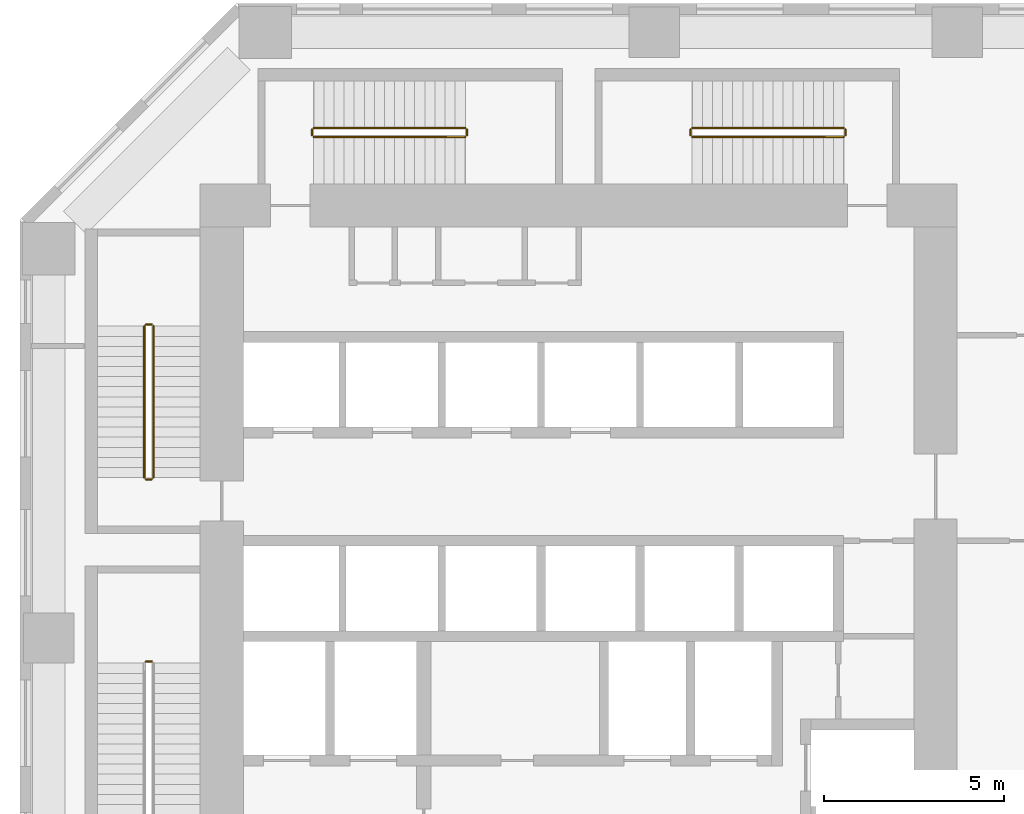
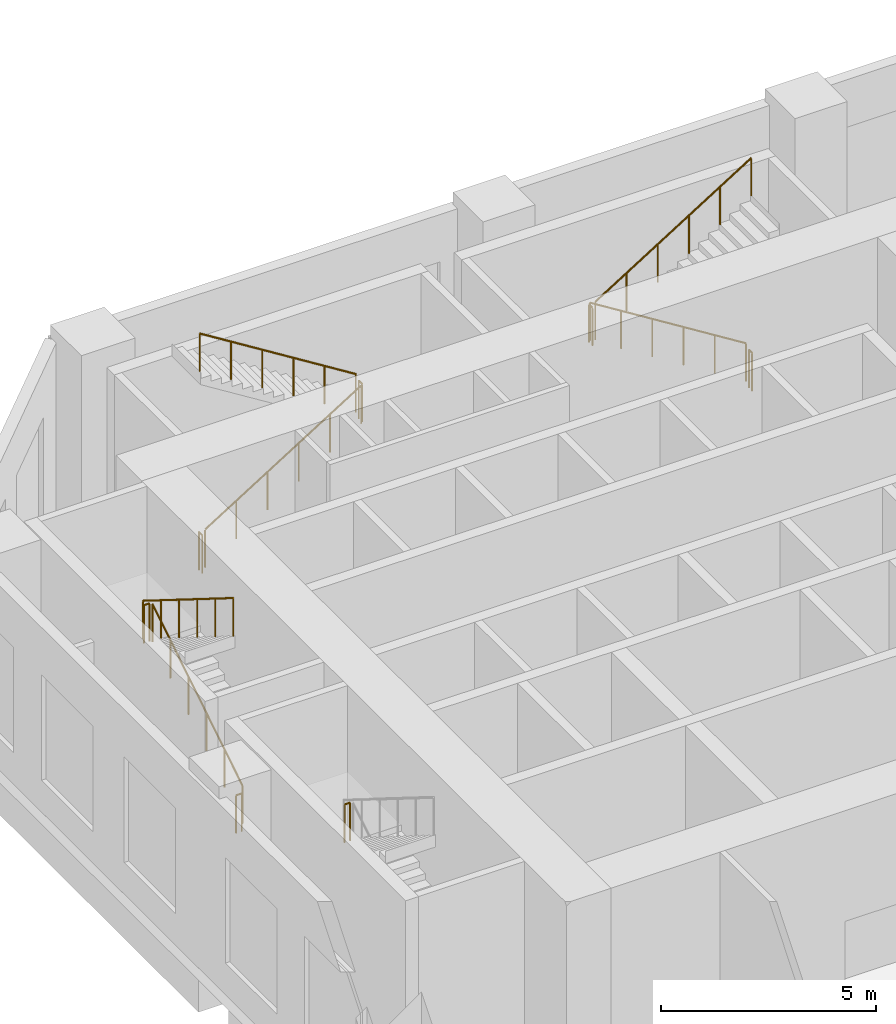
# One storey, part 15 of 17: 13 railings.
"""IFC4 building model written with IfcOpenShell, lengths in metres."""

from ifc_helpers import new_model, si_unit, direction, frame, origin, origin_2d, place, context, subcontext, project, spatial, circle, extrude, material, type_object, element, save


model = new_model("IFC4")

# Units and contexts
model_context = context("Model", 3, precision=1e-05, world=origin(), true_north=direction((0.0, 1.0)))
body_context = subcontext(model_context, "Body", "Model", "MODEL_VIEW")
ifc_project = project(units=[si_unit("LENGTHUNIT", "METRE"), si_unit("AREAUNIT", "SQUARE_METRE"), si_unit("VOLUMEUNIT", "CUBIC_METRE"), si_unit("PLANEANGLEUNIT", "RADIAN"), si_unit("MASSUNIT", "GRAM", prefix="KILO")], contexts=[model_context])

# Site, building, storey
site_placement = place(None, origin())
site = spatial("IfcSite", under=ifc_project, at=site_placement, CompositionType="ELEMENT")
building_placement = place(site_placement, origin())
building = spatial("IfcBuilding", under=site, at=building_placement, Name="Kawkab Arch Medical Tower", CompositionType="ELEMENT")
storey_placement = place(building_placement, frame((0.0, 0.0, 7.0)))
storey = spatial("IfcBuildingStorey", under=building, at=storey_placement, Name="L02", CompositionType="ELEMENT", Elevation=7.0)

# Railings
ifc_material = material(Name="Stainless steel", Category="steel")
railing_type = type_object("IfcRailingType", Name="Stair guard 1100", PredefinedType="GUARDRAIL", material=ifc_material)
railing_1_placement = place(storey_placement, frame((2.89990234375, -12.35009765625, 0.175048828125)))
element("IfcRailing", 1, at=railing_1_placement, inside=storey, type_object=railing_type, Name="L02 ST1 stair guard 1", PredefinedType="GUARDRAIL", context=body_context, shape_type="SweptSolid", body=[
    extrude(circle(Radius=0.02392578125, at=origin_2d()), frame((0.0, 0.0, 1.076171875), z_axis=(0.0, 0.848009380541, 0.529981217134), x_axis=(-1.0, 0.0, 0.0)), (0.0, 0.0, 1.0), 4.953125),
    extrude(circle(Radius=0.02099609375, at=origin_2d()), origin(), (0.0, 0.0, 1.0), 1.052001953125),
    extrude(circle(Radius=0.02099609375, at=origin_2d()), frame((0.0, 0.840087890625, 0.52490234375)), (0.0, 0.0, 1.0), 1.052001953125),
    extrude(circle(Radius=0.02099609375, at=origin_2d()), frame((0.0, 1.68017578125, 1.050048828125)), (0.0, 0.0, 1.0), 1.052001953125),
    extrude(circle(Radius=0.02099609375, at=origin_2d()), frame((0.0, 2.52001953125, 1.574951171875)), (0.0, 0.0, 1.0), 1.052001953125),
    extrude(circle(Radius=0.02099609375, at=origin_2d()), frame((0.0, 3.360107421875, 2.10009765625)), (0.0, 0.0, 1.0), 1.052001953125),
    extrude(circle(Radius=0.02099609375, at=origin_2d()), frame((0.0, 4.2001953125, 2.625)), (0.0, 0.0, 1.0), 1.052001953125),
])
railing_2_placement = place(storey_placement, frame((2.85009765625, -8.10009765625, 2.800048828125)))
element("IfcRailing", 2, at=railing_2_placement, inside=storey, type_object=railing_type, Name="L02 ST1 stair guard 2", PredefinedType="GUARDRAIL", context=body_context, shape_type="SweptSolid", body=[
    extrude(circle(Radius=0.02392578125, at=origin_2d()), frame((0.0, 0.0, 1.076171875), z_axis=(-1.0, 0.0, 0.0), x_axis=(0.0, -1.0, 0.0)), (0.0, 0.0, 1.0), 0.150146484375),
    extrude(circle(Radius=0.02099609375, at=origin_2d()), origin(), (0.0, 0.0, 1.0), 1.052001953125),
    extrude(circle(Radius=0.02099609375, at=origin_2d()), frame((-0.150146484375, 0.0, 0.0)), (0.0, 0.0, 1.0), 1.052001953125),
])
railing_3_placement = place(storey_placement, frame((2.64990234375, -8.14990234375, 2.97509765625)))
element("IfcRailing", 3, at=railing_3_placement, inside=storey, type_object=railing_type, Name="L02 ST1 stair guard 3", PredefinedType="GUARDRAIL", context=body_context, shape_type="SweptSolid", body=[
    extrude(circle(Radius=0.02392578125, at=origin_2d()), frame((0.0, 0.0, 1.076171875), z_axis=(0.0, -0.848009380541, 0.529981217134), x_axis=(1.0, 0.0, 0.0)), (0.0, 0.0, 1.0), 4.953125),
    extrude(circle(Radius=0.02099609375, at=origin_2d()), origin(), (0.0, 0.0, 1.0), 1.052001953125),
    extrude(circle(Radius=0.02099609375, at=origin_2d()), frame((0.0, -0.840087890625, 0.52490234375)), (0.0, 0.0, 1.0), 1.052001953125),
    extrude(circle(Radius=0.02099609375, at=origin_2d()), frame((0.0, -1.68017578125, 1.050048828125)), (0.0, 0.0, 1.0), 1.052001953125),
    extrude(circle(Radius=0.02099609375, at=origin_2d()), frame((0.0, -2.52001953125, 1.574951171875)), (0.0, 0.0, 1.0), 1.052001953125),
    extrude(circle(Radius=0.02099609375, at=origin_2d()), frame((0.0, -3.360107421875, 2.10009765625)), (0.0, 0.0, 1.0), 1.052001953125),
    extrude(circle(Radius=0.02099609375, at=origin_2d()), frame((0.0, -4.2001953125, 2.625)), (0.0, 0.0, 1.0), 1.052001953125),
])
for number, where, name in (
    (4, (2.85009765625, -12.39990234375, 0.0), "L02 ST1 stair guard 4"),
    (5, (2.85009765625, -17.449951171875, 2.800048828125), "L02 ST2 stair guard 2"),
):
    element("IfcRailing", number, at=place(storey_placement, frame(where)), inside=storey, type_object=railing_type, Name=name, PredefinedType="GUARDRAIL", context=body_context, shape_type="SweptSolid", body=[
        extrude(circle(Radius=0.02392578125, at=origin_2d()), frame((0.0, 0.0, 1.076171875), z_axis=(-1.0, 0.0, 0.0), x_axis=(0.0, -1.0, 0.0)), (0.0, 0.0, 1.0), 0.150146484375),
        extrude(circle(Radius=0.02099609375, at=origin_2d()), origin(), (0.0, 0.0, 1.0), 1.052001953125),
        extrude(circle(Radius=0.02099609375, at=origin_2d()), frame((-0.150146484375, 0.0, 0.0)), (0.0, 0.0, 1.0), 1.052001953125),
    ])
railing_4_placement = place(storey_placement, frame((7.35009765625, -2.89990234375, 0.175048828125)))
element("IfcRailing", 6, at=railing_4_placement, inside=storey, type_object=railing_type, Name="L02 ST3 stair guard 1", PredefinedType="GUARDRAIL", context=body_context, shape_type="SweptSolid", body=[
    extrude(circle(Radius=0.02392578125, at=origin_2d()), frame((0.0, 0.0, 1.076171875), z_axis=(0.847995534698, 0.0, 0.530003370869), x_axis=(0.0, 1.0, 0.0)), (0.0, 0.0, 1.0), 4.952880859375),
    extrude(circle(Radius=0.02099609375, at=origin_2d()), origin(), (0.0, 0.0, 1.0), 1.052001953125),
    extrude(circle(Radius=0.02099609375, at=origin_2d()), frame((0.840087890625, 0.0, 0.52490234375)), (0.0, 0.0, 1.0), 1.052001953125),
    extrude(circle(Radius=0.02099609375, at=origin_2d()), frame((1.679931640625, 0.0, 1.050048828125)), (0.0, 0.0, 1.0), 1.052001953125),
    extrude(circle(Radius=0.02099609375, at=origin_2d()), frame((2.52001953125, 0.0, 1.574951171875)), (0.0, 0.0, 1.0), 1.052001953125),
    extrude(circle(Radius=0.02099609375, at=origin_2d()), frame((3.35986328125, 0.0, 2.10009765625)), (0.0, 0.0, 1.0), 1.052001953125),
    extrude(circle(Radius=0.02099609375, at=origin_2d()), frame((4.199951171875, 0.0, 2.625)), (0.0, 0.0, 1.0), 1.052001953125),
])
railing_5_placement = place(storey_placement, frame((11.60009765625, -2.85009765625, 2.800048828125)))
element("IfcRailing", 7, at=railing_5_placement, inside=storey, type_object=railing_type, Name="L02 ST3 stair guard 2", PredefinedType="GUARDRAIL", context=body_context, shape_type="SweptSolid", body=[
    extrude(circle(Radius=0.02392578125, at=origin_2d()), frame((0.0, 0.0, 1.076171875), z_axis=(0.0, 1.0, 0.0), x_axis=(-1.0, 0.0, 0.0)), (0.0, 0.0, 1.0), 0.150146484375),
    extrude(circle(Radius=0.02099609375, at=origin_2d()), origin(), (0.0, 0.0, 1.0), 1.052001953125),
    extrude(circle(Radius=0.02099609375, at=origin_2d()), frame((0.0, 0.150146484375, 0.0)), (0.0, 0.0, 1.0), 1.052001953125),
])
railing_6_placement = place(storey_placement, frame((11.550048828125, -2.64990234375, 2.97509765625)))
element("IfcRailing", 8, at=railing_6_placement, inside=storey, type_object=railing_type, Name="L02 ST3 stair guard 3", PredefinedType="GUARDRAIL", context=body_context, shape_type="SweptSolid", body=[
    extrude(circle(Radius=0.02392578125, at=origin_2d()), frame((0.0, 0.0, 1.076171875), z_axis=(-0.847995534698, 0.0, 0.530003370869), x_axis=(0.0, -1.0, 0.0)), (0.0, 0.0, 1.0), 4.952880859375),
    extrude(circle(Radius=0.02099609375, at=origin_2d()), origin(), (0.0, 0.0, 1.0), 1.052001953125),
    extrude(circle(Radius=0.02099609375, at=origin_2d()), frame((-0.840087890625, 0.0, 0.52490234375)), (0.0, 0.0, 1.0), 1.052001953125),
    extrude(circle(Radius=0.02099609375, at=origin_2d()), frame((-1.679931640625, 0.0, 1.050048828125)), (0.0, 0.0, 1.0), 1.052001953125),
    extrude(circle(Radius=0.02099609375, at=origin_2d()), frame((-2.52001953125, 0.0, 1.574951171875)), (0.0, 0.0, 1.0), 1.052001953125),
    extrude(circle(Radius=0.02099609375, at=origin_2d()), frame((-3.35986328125, 0.0, 2.10009765625)), (0.0, 0.0, 1.0), 1.052001953125),
    extrude(circle(Radius=0.02099609375, at=origin_2d()), frame((-4.199951171875, 0.0, 2.625)), (0.0, 0.0, 1.0), 1.052001953125),
])
railing_7_placement = place(storey_placement, frame((7.300048828125, -2.85009765625, 0.0)))
element("IfcRailing", 9, at=railing_7_placement, inside=storey, type_object=railing_type, Name="L02 ST3 stair guard 4", PredefinedType="GUARDRAIL", context=body_context, shape_type="SweptSolid", body=[
    extrude(circle(Radius=0.02392578125, at=origin_2d()), frame((0.0, 0.0, 1.076171875), z_axis=(0.0, 1.0, 0.0), x_axis=(-1.0, 0.0, 0.0)), (0.0, 0.0, 1.0), 0.150146484375),
    extrude(circle(Radius=0.02099609375, at=origin_2d()), origin(), (0.0, 0.0, 1.0), 1.052001953125),
    extrude(circle(Radius=0.02099609375, at=origin_2d()), frame((0.0, 0.150146484375, 0.0)), (0.0, 0.0, 1.0), 1.052001953125),
])
railing_8_placement = place(storey_placement, frame((22.050048828125, -2.64990234375, 0.175048828125)))
element("IfcRailing", 10, at=railing_8_placement, inside=storey, type_object=railing_type, Name="L02 ST4 stair guard 1", PredefinedType="GUARDRAIL", context=body_context, shape_type="SweptSolid", body=[
    extrude(circle(Radius=0.02392578125, at=origin_2d()), frame((0.0, 0.0, 1.076171875), z_axis=(-0.847995534698, 0.0, 0.530003370869), x_axis=(0.0, -1.0, 0.0)), (0.0, 0.0, 1.0), 4.952880859375),
    extrude(circle(Radius=0.02099609375, at=origin_2d()), origin(), (0.0, 0.0, 1.0), 1.052001953125),
    extrude(circle(Radius=0.02099609375, at=origin_2d()), frame((-0.840087890625, 0.0, 0.52490234375)), (0.0, 0.0, 1.0), 1.052001953125),
    extrude(circle(Radius=0.02099609375, at=origin_2d()), frame((-1.679931640625, 0.0, 1.050048828125)), (0.0, 0.0, 1.0), 1.052001953125),
    extrude(circle(Radius=0.02099609375, at=origin_2d()), frame((-2.52001953125, 0.0, 1.574951171875)), (0.0, 0.0, 1.0), 1.052001953125),
    extrude(circle(Radius=0.02099609375, at=origin_2d()), frame((-3.35986328125, 0.0, 2.10009765625)), (0.0, 0.0, 1.0), 1.052001953125),
    extrude(circle(Radius=0.02099609375, at=origin_2d()), frame((-4.199951171875, 0.0, 2.625)), (0.0, 0.0, 1.0), 1.052001953125),
])
railing_9_placement = place(storey_placement, frame((17.800048828125, -2.699951171875, 2.800048828125)))
element("IfcRailing", 11, at=railing_9_placement, inside=storey, type_object=railing_type, Name="L02 ST4 stair guard 2", PredefinedType="GUARDRAIL", context=body_context, shape_type="SweptSolid", body=[
    extrude(circle(Radius=0.02392578125, at=origin_2d()), frame((0.0, 0.0, 1.076171875), z_axis=(0.0, -1.0, 0.0), x_axis=(1.0, 0.0, 0.0)), (0.0, 0.0, 1.0), 0.150146484375),
    extrude(circle(Radius=0.02099609375, at=origin_2d()), origin(), (0.0, 0.0, 1.0), 1.052001953125),
    extrude(circle(Radius=0.02099609375, at=origin_2d()), frame((0.0, -0.150146484375, 0.0)), (0.0, 0.0, 1.0), 1.052001953125),
])
railing_10_placement = place(storey_placement, frame((17.85009765625, -2.89990234375, 2.97509765625)))
element("IfcRailing", 12, at=railing_10_placement, inside=storey, type_object=railing_type, Name="L02 ST4 stair guard 3", PredefinedType="GUARDRAIL", context=body_context, shape_type="SweptSolid", body=[
    extrude(circle(Radius=0.02392578125, at=origin_2d()), frame((0.0, 0.0, 1.076171875), z_axis=(0.847995534698, 0.0, 0.530003370869), x_axis=(0.0, 1.0, 0.0)), (0.0, 0.0, 1.0), 4.952880859375),
    extrude(circle(Radius=0.02099609375, at=origin_2d()), origin(), (0.0, 0.0, 1.0), 1.052001953125),
    extrude(circle(Radius=0.02099609375, at=origin_2d()), frame((0.840087890625, 0.0, 0.52490234375)), (0.0, 0.0, 1.0), 1.052001953125),
    extrude(circle(Radius=0.02099609375, at=origin_2d()), frame((1.679931640625, 0.0, 1.050048828125)), (0.0, 0.0, 1.0), 1.052001953125),
    extrude(circle(Radius=0.02099609375, at=origin_2d()), frame((2.52001953125, 0.0, 1.574951171875)), (0.0, 0.0, 1.0), 1.052001953125),
    extrude(circle(Radius=0.02099609375, at=origin_2d()), frame((3.35986328125, 0.0, 2.10009765625)), (0.0, 0.0, 1.0), 1.052001953125),
    extrude(circle(Radius=0.02099609375, at=origin_2d()), frame((4.199951171875, 0.0, 2.625)), (0.0, 0.0, 1.0), 1.052001953125),
])
railing_11_placement = place(storey_placement, frame((22.10009765625, -2.699951171875, 0.0)))
element("IfcRailing", 13, at=railing_11_placement, inside=storey, type_object=railing_type, Name="L02 ST4 stair guard 4", PredefinedType="GUARDRAIL", context=body_context, shape_type="SweptSolid", body=[
    extrude(circle(Radius=0.02392578125, at=origin_2d()), frame((0.0, 0.0, 1.076171875), z_axis=(0.0, -1.0, 0.0), x_axis=(1.0, 0.0, 0.0)), (0.0, 0.0, 1.0), 0.150146484375),
    extrude(circle(Radius=0.02099609375, at=origin_2d()), origin(), (0.0, 0.0, 1.0), 1.052001953125),
    extrude(circle(Radius=0.02099609375, at=origin_2d()), frame((0.0, -0.150146484375, 0.0)), (0.0, 0.0, 1.0), 1.052001953125),
])

save(model, "model.ifc")
